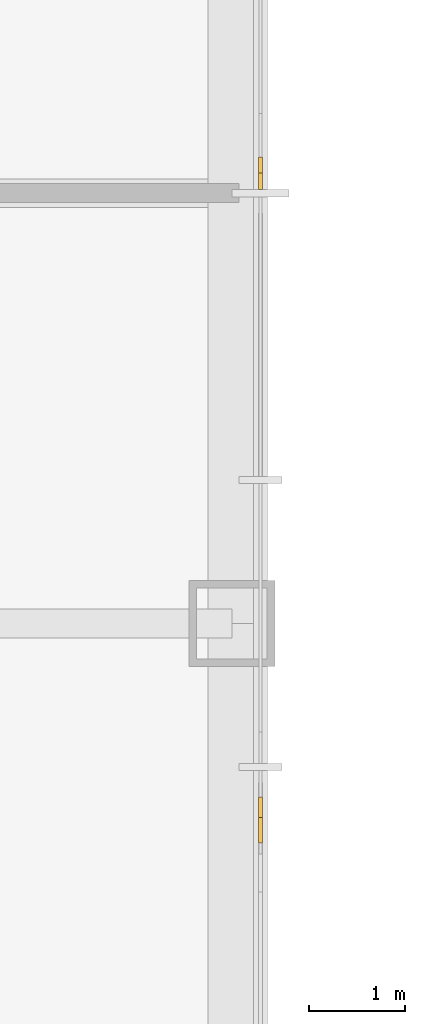
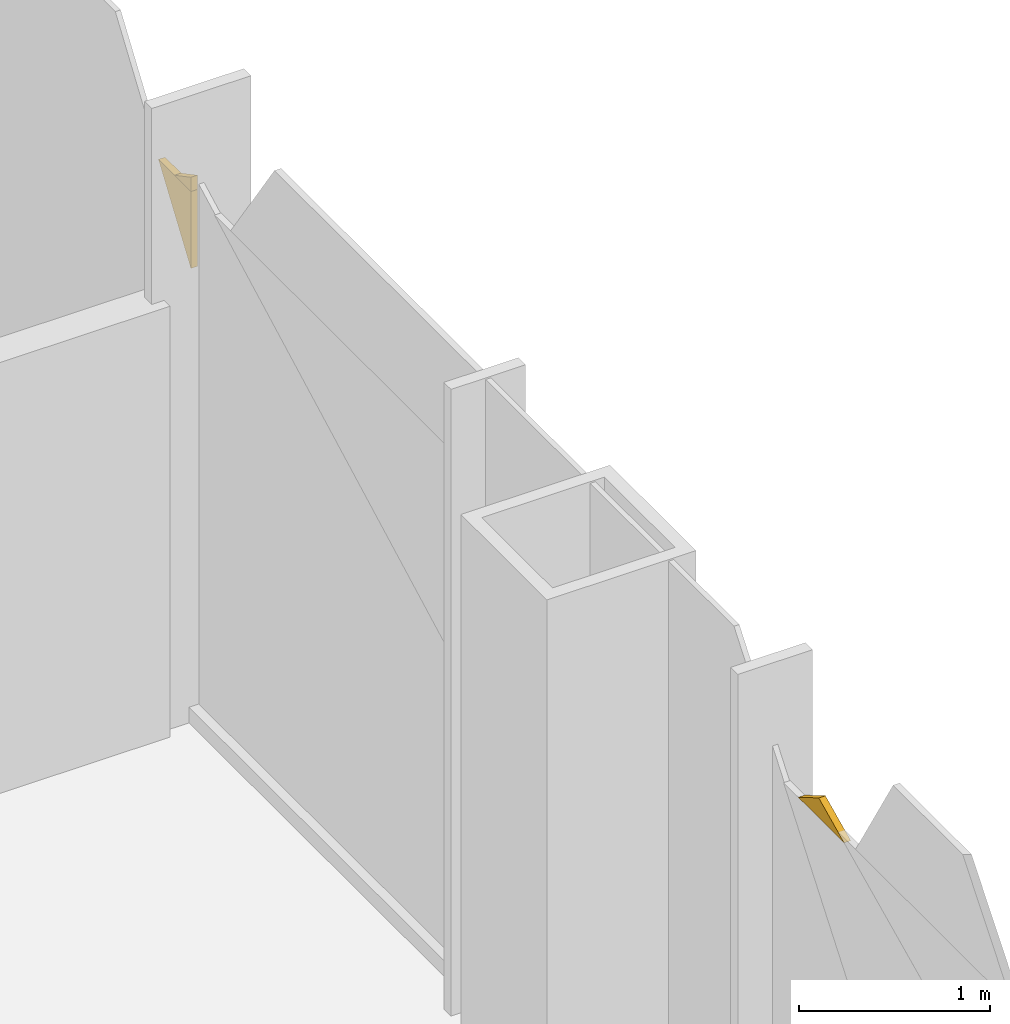
# One storey, part 19 of 23: 3 coverings.
"""IFC4 building model written with IfcOpenShell, lengths in metres."""

from ifc_helpers import new_model, si_unit, direction, frame, origin, place, context, subcontext, project, spatial, polyline, outline, extrude, material, layer, layer_set, type_object, element, save


model = new_model("IFC4")

# Units and contexts
model_context = context("Model", 3, precision=1e-05, world=origin(), true_north=direction((0.0, 1.0)))
body_context = subcontext(model_context, "Body", "Model", "MODEL_VIEW")
ifc_project = project(units=[si_unit("LENGTHUNIT", "METRE"), si_unit("AREAUNIT", "SQUARE_METRE"), si_unit("VOLUMEUNIT", "CUBIC_METRE"), si_unit("PLANEANGLEUNIT", "RADIAN"), si_unit("MASSUNIT", "GRAM", prefix="KILO")], contexts=[model_context])

# Site, building, storey
site_placement = place(None, origin())
site = spatial("IfcSite", under=ifc_project, at=site_placement, CompositionType="ELEMENT")
building_placement = place(site_placement, origin())
building = spatial("IfcBuilding", under=site, at=building_placement, Name="Malebo Sky Hospital", CompositionType="ELEMENT")
storey_placement = place(building_placement, frame((0.0, 0.0, 91.0)))
storey = spatial("IfcBuildingStorey", under=building, at=storey_placement, Name="L21", CompositionType="ELEMENT", Elevation=91.0)

# Coverings
ifc_material = material(Name="Anodised aluminium, natural silver insulated infill panel", Category="aluminium")
ifc_layer = layer(ifc_material, 0.0400390625)
ifc_layer_set = layer_set([ifc_layer], Name="BRACE INFILL PANEL 40")
covering_type = type_object("IfcCoveringType", Name="BRACE INFILL PANEL 40", PredefinedType="CLADDING", material=ifc_layer_set)
covering_1_placement = place(storey_placement, frame((85.5, 62.20703125, 2.8359375), z_axis=(0.0, 0.0, 1.0), x_axis=(0.0, -1.0, 0.0)))
element("IfcCovering", 1, at=covering_1_placement, inside=storey, type_object=covering_type, Name="Brace infill panel 7.1", PredefinedType="CLADDING", context=body_context, shape_type="SweptSolid", body=[
    extrude(outline(polyline([(0.169677734375, 0.0), (0.169677734375, 0.490966796875), (-0.169677734375, 0.490966796875), (0.169677734375, 0.0)])), frame((0.0, 0.02001953125, 0.0), z_axis=(0.0, -1.0, 0.0), x_axis=(1.0, 0.0, 0.0)), (0.0, 0.0, 1.0), 0.0400390625),
])
covering_2_placement = place(storey_placement, frame((85.5, 62.12353515625, 3.32666015625), z_axis=(0.0, 0.0, 1.0), x_axis=(0.0, -1.0, 0.0)))
element("IfcCovering", 2, at=covering_2_placement, inside=storey, type_object=covering_type, Name="Brace infill panel 7.2", PredefinedType="CLADDING", context=body_context, shape_type="SweptSolid", body=[
    extrude(outline(polyline([(-0.0859375, 0.0), (0.0859375, 0.0), (0.0859375, 0.091064453125), (-0.0859375, 0.0)])), frame((0.0, 0.02001953125, 0.0), z_axis=(0.0, -1.0, 0.0), x_axis=(1.0, 0.0, 0.0)), (0.0, 0.0, 1.0), 0.0400390625),
])
covering_3_placement = place(storey_placement, frame((85.5, 55.44580078125, 3.31201171875), z_axis=(0.0, 0.0, 1.0), x_axis=(0.0, -1.0, 0.0)))
element("IfcCovering", 3, at=covering_3_placement, inside=storey, type_object=covering_type, Name="Brace infill panel 10.4", PredefinedType="CLADDING", context=body_context, shape_type="SweptSolid", body=[
    extrude(outline(polyline([(-0.239990234375, 0.0), (0.23974609375, 0.0), (-0.02587890625, 0.125732421875), (-0.239990234375, 0.0)])), frame((0.0, 0.02001953125, 0.0), z_axis=(0.0, -1.0, 0.0), x_axis=(1.0, 0.0, 0.0)), (0.0, 0.0, 1.0), 0.0400390625),
])

save(model, "model.ifc")
